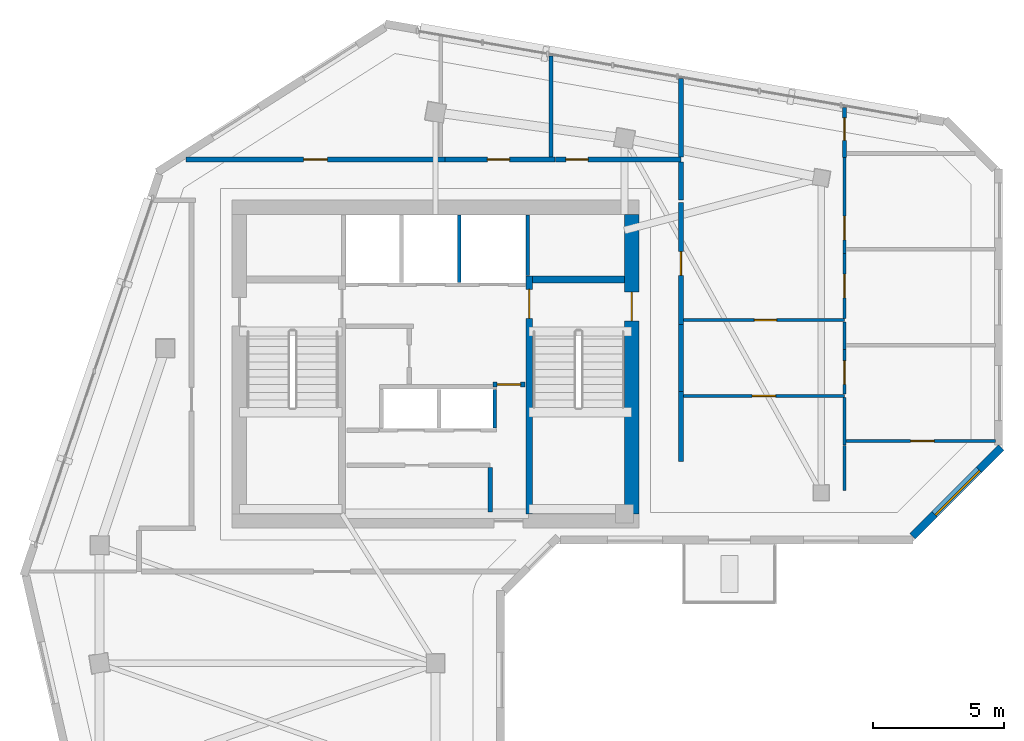
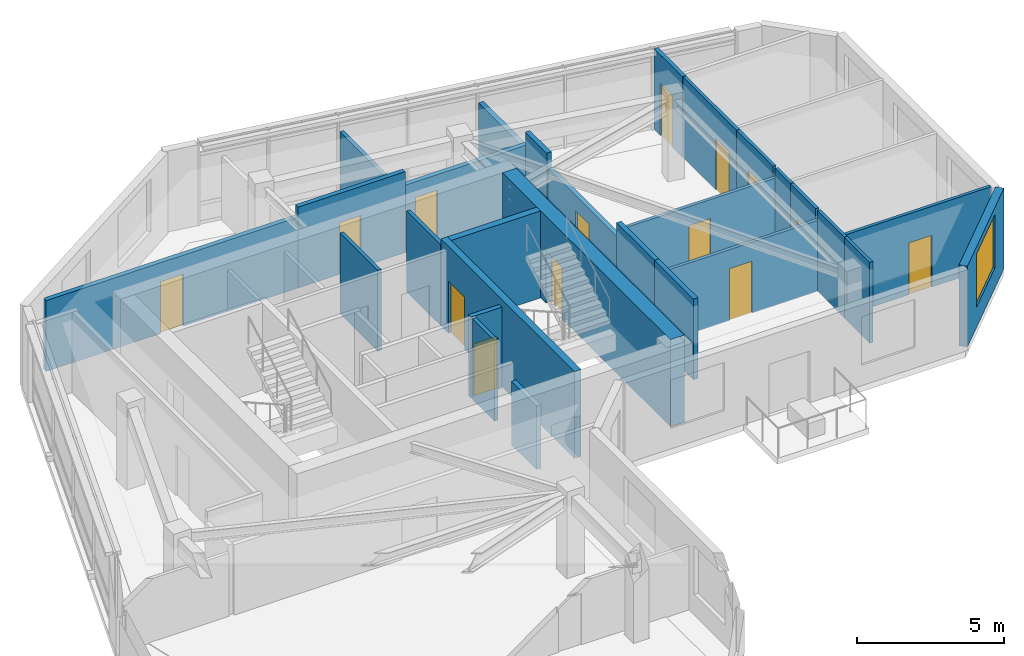
# One storey, part 5 of 9: 28 walls, 14 doors, 1 window, 15 openings.
"""IFC4 building model written with IfcOpenShell, lengths in metres."""

from ifc_helpers import new_model, si_unit, direction, frame, frame_2d, origin, place, context, subcontext, project, spatial, rectangle, extrude, source, transform, mapped, material, layer, layer_set, type_object, element, fill, save


model = new_model("IFC4")

# Units and contexts
model_context = context("Model", 3, precision=1e-05, world=origin(), true_north=direction((0.0, 1.0)))
body_context = subcontext(model_context, "Body", "Model", "MODEL_VIEW")
ifc_project = project(units=[si_unit("LENGTHUNIT", "METRE"), si_unit("AREAUNIT", "SQUARE_METRE"), si_unit("VOLUMEUNIT", "CUBIC_METRE"), si_unit("PLANEANGLEUNIT", "RADIAN"), si_unit("MASSUNIT", "GRAM", prefix="KILO")], contexts=[model_context])

# Site, building, storey
site_placement = place(None, origin())
site = spatial("IfcSite", under=ifc_project, at=site_placement, CompositionType="ELEMENT")
building_placement = place(site_placement, origin())
building = spatial("IfcBuilding", under=site, at=building_placement, Name="Calvemar Wedge Station Tower", CompositionType="ELEMENT")
storey_placement = place(building_placement, frame((0.0, 0.0, 270.89990234375)))
storey = spatial("IfcBuildingStorey", under=building, at=storey_placement, Name="L69", CompositionType="ELEMENT", Elevation=270.89990234375)

# Wall, opening, door
ifc_material_1 = material(Name="Concrete C50", Category="concrete")
ifc_layer_1 = layer(ifc_material_1, 0.260009765625)
ifc_layer_set_1 = layer_set([ifc_layer_1], Name="Concrete C50")
wall_type_1 = type_object("IfcWallType", Name="SW-CORE-260", PredefinedType="SHEAR", material=ifc_layer_set_1)
wall_1_placement = place(storey_placement, frame((27.3701171875, 34.199951171875, 0.0), z_axis=(0.0, 0.0, 1.0), x_axis=(0.0, 1.0, 0.0)))
wall_1 = element("IfcWall", 1, at=wall_1_placement, inside=storey, type_object=wall_type_1, Name="Storey L69 Core Shear Wall SPINE-E", PredefinedType="SHEAR", context=body_context, shape_type="SweptSolid", body=[
    extrude(rectangle(XDim=9.06005859375, YDim=0.260009765625, at=frame_2d((4.530029296875, 0.0))), origin(), (0.0, 0.0, 1.0), 3.60009765625),
])
shared_shape_1 = source(origin(), body_context, "Body", "SweptSolid", [
    extrude(rectangle(XDim=1.10009765625, YDim=2.14990234375, at=frame_2d((0.550048828125, 1.074951171875))), frame((0.0, 0.14013671875, 0.0), z_axis=(0.0, -1.0, 0.0), x_axis=(1.0, 0.0, 0.0)), (0.0, 0.0, 1.0), 0.280029296875),
])
opening_1_placement = place(wall_1_placement, frame((7.449951171875, 0.0, 0.0)))
opening_1 = element("IfcOpeningElement", 2, at=opening_1_placement, cuts=wall_1, Name="Opening FD-90", PredefinedType="OPENING", context=body_context, shape_type="MappedRepresentation", body=[
    mapped(shared_shape_1, transform((0.0, 0.0, 0.0), scale=1.0)),
])
ifc_material_2 = material(Name="Galvanized fire-rated steel door leaf P-90", Category="steel")
door_type_1 = type_object("IfcDoorType", Name="DR-FD90-1100", OperationType="NOTDEFINED", PredefinedType="DOOR", material=ifc_material_2)
shared_shape_2 = source(origin(), body_context, "Body", "SweptSolid", [
    extrude(rectangle(XDim=1.10009765625, YDim=2.14990234375, at=frame_2d((0.550048828125, 1.074951171875))), frame((0.0, 0.02490234375, 0.0), z_axis=(0.0, -1.0, 0.0), x_axis=(1.0, 0.0, 0.0)), (0.0, 0.0, 1.0), 0.050048828125),
])
door_1_placement = place(opening_1_placement, origin())
door_1 = element("IfcDoor", 3, at=door_1_placement, inside=storey, type_object=door_type_1, Name="L69 FF Lobby to Stair ST-C2 Door", OperationType="SINGLE_SWING_RIGHT", OverallHeight=2.14990234375, OverallWidth=1.10009765625, PredefinedType="DOOR", context=body_context, shape_type="MappedRepresentation", body=[
    mapped(shared_shape_2, transform((0.0, 0.0, 0.0), scale=1.0)),
])
fill(opening_1, door_1)

# Wall
wall_2_placement = place(storey_placement, frame((27.5, 43.1298828125, 0.0), z_axis=(0.0, 0.0, 1.0), x_axis=(1.0, 0.0, 0.0)))
element("IfcWall", 4, at=wall_2_placement, inside=storey, type_object=wall_type_1, Name="Storey L69 Core Shear Wall STC2-N", PredefinedType="SHEAR", context=body_context, shape_type="SweptSolid", body=[
    extrude(rectangle(XDim=3.5, YDim=0.260009765625, at=frame_2d((1.75, 0.0))), origin(), (0.0, 0.0, 1.0), 3.60009765625),
])

# Wall, opening, door
ifc_material_3 = material(Name="Concrete C60", Category="concrete")
ifc_layer_2 = layer(ifc_material_3, 0.550048828125)
ifc_layer_set_2 = layer_set([ifc_layer_2], Name="Concrete C60")
wall_type_2 = type_object("IfcWallType", Name="SW-CORE-550", PredefinedType="SHEAR", material=ifc_layer_set_2)
wall_3_placement = place(storey_placement, frame((31.27490234375, 34.199951171875, 0.0), z_axis=(0.0, 0.0, 1.0), x_axis=(0.0, 1.0, 0.0)))
wall_3 = element("IfcWall", 5, at=wall_3_placement, inside=storey, type_object=wall_type_2, Name="Storey L69 Core Shear Wall E", PredefinedType="SHEAR", context=body_context, shape_type="SweptSolid", body=[
    extrude(rectangle(XDim=11.400146484375, YDim=0.550048828125, at=frame_2d((5.7001953125, 0.0))), origin(), (0.0, 0.0, 1.0), 3.60009765625),
])
shared_shape_3 = source(origin(), body_context, "Body", "SweptSolid", [
    extrude(rectangle(XDim=1.10009765625, YDim=2.14990234375, at=frame_2d((0.550048828125, 1.074951171875))), frame((0.0, 0.28515625, 0.0), z_axis=(0.0, -1.0, 0.0), x_axis=(1.0, 0.0, 0.0)), (0.0, 0.0, 1.0), 0.570068359375),
])
opening_2_placement = place(wall_3_placement, frame((7.35009765625, 0.0, 0.0)))
opening_2 = element("IfcOpeningElement", 6, at=opening_2_placement, cuts=wall_3, Name="Opening FD-90", PredefinedType="OPENING", context=body_context, shape_type="MappedRepresentation", body=[
    mapped(shared_shape_3, transform((0.0, 0.0, 0.0), scale=1.0)),
])
door_2_placement = place(opening_2_placement, origin())
door_2 = element("IfcDoor", 7, at=door_2_placement, inside=storey, type_object=door_type_1, Name="L69 East Corridor to Exit Stair ST-C2 Door", OperationType="SINGLE_SWING_RIGHT", OverallHeight=2.14990234375, OverallWidth=1.10009765625, PredefinedType="DOOR", context=body_context, shape_type="MappedRepresentation", body=[
    mapped(shared_shape_2, transform((0.0, 0.0, 0.0), scale=1.0)),
])
fill(opening_2, door_2)

ifc_material_4 = material(Name="Double-stud fire-rated corridor partition")
ifc_layer_3 = layer(ifc_material_4, 0.179931640625)
ifc_layer_set_3 = layer_set([ifc_layer_3], Name="Double-stud fire-rated corridor partition")
wall_type_3 = type_object("IfcWallType", Name="W-CORR-180", PredefinedType="PARTITIONING", material=ifc_layer_set_3)
wall_4_placement = place(storey_placement, frame((27.199951171875, 39.1298828125, 0.0), z_axis=(0.0, 0.0, 1.0), x_axis=(-1.0, 0.0, 0.0)))
wall_4 = element("IfcWall", 8, at=wall_4_placement, inside=storey, type_object=wall_type_3, Name="Storey L69 Interior Partition WL-L69-004", PredefinedType="PARTITIONING", context=body_context, shape_type="SweptSolid", body=[
    extrude(rectangle(XDim=1.2099609375, YDim=0.179931640625, at=frame_2d((0.60498046875, 0.0))), origin(), (0.0, 0.0, 1.0), 3.35009765625),
])
shared_shape_4 = source(origin(), body_context, "Body", "SweptSolid", [
    extrude(rectangle(XDim=0.89990234375, YDim=2.14990234375, at=frame_2d((0.449951171875, 1.074951171875))), frame((0.0, 0.10009765625, 0.0), z_axis=(0.0, -1.0, 0.0), x_axis=(1.0, 0.0, 0.0)), (0.0, 0.0, 1.0), 0.199951171875),
])
opening_3_placement = place(wall_4_placement, frame((0.155029296875, 0.0, 0.0)))
opening_3 = element("IfcOpeningElement", 9, at=opening_3_placement, cuts=wall_4, Name="Opening FD-60", PredefinedType="OPENING", context=body_context, shape_type="MappedRepresentation", body=[
    mapped(shared_shape_4, transform((0.0, 0.0, 0.0), scale=1.0)),
])
ifc_material_5 = material(Name="Fire-rated acoustic timber-core entrance door EI 60", Category="wood")
door_type_2 = type_object("IfcDoorType", Name="DR-FD60-900", OperationType="NOTDEFINED", PredefinedType="DOOR", material=ifc_material_5)
shared_shape_5 = source(origin(), body_context, "Body", "SweptSolid", [
    extrude(rectangle(XDim=0.89990234375, YDim=2.14990234375, at=frame_2d((0.449951171875, 1.074951171875))), frame((0.0, 0.02490234375, 0.0), z_axis=(0.0, -1.0, 0.0), x_axis=(1.0, 0.0, 0.0)), (0.0, 0.0, 1.0), 0.050048828125),
])
door_3_placement = place(opening_3_placement, origin())
door_3 = element("IfcDoor", 10, at=door_3_placement, inside=storey, type_object=door_type_2, Name="L69 Core Service Lobby Door", OperationType="SINGLE_SWING_LEFT", OverallHeight=2.14990234375, OverallWidth=0.89990234375, PredefinedType="DOOR", context=body_context, shape_type="MappedRepresentation", body=[
    mapped(shared_shape_5, transform((0.0, 0.0, 0.0), scale=1.0)),
])
fill(opening_3, door_3)

# Wall
wall_5_placement = place(storey_placement, frame((25.8798828125, 35.9560546875, 0.0), z_axis=(0.0, 0.0, 1.0), x_axis=(0.0, -1.0, 0.0)))
element("IfcWall", 11, at=wall_5_placement, inside=storey, type_object=wall_type_3, Name="Storey L69 Interior Partition WL-L69-006", PredefinedType="PARTITIONING", context=body_context, shape_type="SweptSolid", body=[
    extrude(rectangle(XDim=1.68603515625, YDim=0.179931640625, at=frame_2d((0.843017578125, 0.0))), origin(), (0.0, 0.0, 1.0), 2.64208984375),
])

# Wall, opening, door
wall_6_placement = place(storey_placement, frame((14.29541015625, 47.699951171875, 0.0), z_axis=(0.0, 0.0, 1.0), x_axis=(1.0, 0.0, 0.0)))
wall_6 = element("IfcWall", 12, at=wall_6_placement, inside=storey, type_object=wall_type_3, Name="Storey L69 Interior Partition WL-L69-012", PredefinedType="PARTITIONING", context=body_context, shape_type="SweptSolid", body=[
    extrude(rectangle(XDim=9.864501953125, YDim=0.179931640625, at=frame_2d((4.93212890625, 0.0))), origin(), (0.0, 0.0, 1.0), 2.93505859375),
])
opening_4_placement = place(wall_6_placement, frame((4.482421875, 0.0, 0.0)))
opening_4 = element("IfcOpeningElement", 13, at=opening_4_placement, cuts=wall_6, Name="Opening D-01", PredefinedType="OPENING", context=body_context, shape_type="MappedRepresentation", body=[
    mapped(shared_shape_4, transform((0.0, 0.0, 0.0), scale=1.0)),
])
ifc_material_6 = material(Name="Architectural hardwood acoustic swing door", Category="wood")
door_type_3 = type_object("IfcDoorType", Name="DR-INT-900", OperationType="NOTDEFINED", PredefinedType="DOOR", material=ifc_material_6)
shared_shape_6 = source(origin(), body_context, "Body", "SweptSolid", [
    extrude(rectangle(XDim=0.89990234375, YDim=2.14990234375, at=frame_2d((0.449951171875, 1.074951171875))), frame((0.0, 0.02490234375, 0.0), z_axis=(0.0, -1.0, 0.0), x_axis=(1.0, 0.0, 0.0)), (0.0, 0.0, 1.0), 0.050048828125),
])
door_4_placement = place(opening_4_placement, origin())
door_4 = element("IfcDoor", 14, at=door_4_placement, inside=storey, type_object=door_type_3, Name="L69 Fitness Studio Door", OperationType="SINGLE_SWING_RIGHT", OverallHeight=2.14990234375, OverallWidth=0.89990234375, PredefinedType="DOOR", context=body_context, shape_type="MappedRepresentation", body=[
    mapped(shared_shape_6, transform((0.0, 0.0, 0.0), scale=1.0)),
])
fill(opening_4, door_4)

wall_7_placement = place(storey_placement, frame((24.162109375, 47.699951171875, 0.0), z_axis=(0.0, 0.0, 1.0), x_axis=(1.0, 0.0, 0.0)))
wall_7 = element("IfcWall", 15, at=wall_7_placement, inside=storey, type_object=wall_type_3, Name="Storey L69 Interior Partition WL-L69-013", PredefinedType="PARTITIONING", context=body_context, shape_type="SweptSolid", body=[
    extrude(rectangle(XDim=4.197998046875, YDim=0.179931640625, at=frame_2d((2.09912109375, 0.0))), origin(), (0.0, 0.0, 1.0), 3.35009765625),
])
shared_shape_7 = source(origin(), body_context, "Body", "SweptSolid", [
    extrude(rectangle(XDim=0.85009765625, YDim=2.14990234375, at=frame_2d((0.425048828125, 1.074951171875))), frame((0.0, 0.10009765625, 0.0), z_axis=(0.0, -1.0, 0.0), x_axis=(1.0, 0.0, 0.0)), (0.0, 0.0, 1.0), 0.199951171875),
])
opening_5_placement = place(wall_7_placement, frame((1.61328125, 0.0, 0.0)))
opening_5 = element("IfcOpeningElement", 16, at=opening_5_placement, cuts=wall_7, Name="Opening D-02", PredefinedType="OPENING", context=body_context, shape_type="MappedRepresentation", body=[
    mapped(shared_shape_7, transform((0.0, 0.0, 0.0), scale=1.0)),
])
ifc_material_7 = material(Name="Moisture-sealed bathroom hardwood swing door", Category="wood")
door_type_4 = type_object("IfcDoorType", Name="DR-WET-850", OperationType="NOTDEFINED", PredefinedType="DOOR", material=ifc_material_7)
shared_shape_8 = source(origin(), body_context, "Body", "SweptSolid", [
    extrude(rectangle(XDim=0.85009765625, YDim=2.14990234375, at=frame_2d((0.425048828125, 1.074951171875))), frame((0.0, 0.02490234375, 0.0), z_axis=(0.0, -1.0, 0.0), x_axis=(1.0, 0.0, 0.0)), (0.0, 0.0, 1.0), 0.050048828125),
])
door_5_placement = place(opening_5_placement, origin())
door_5 = element("IfcDoor", 17, at=door_5_placement, inside=storey, type_object=door_type_4, Name="L69 Accessible WC Door", OperationType="SINGLE_SWING_LEFT", OverallHeight=2.14990234375, OverallWidth=0.85009765625, PredefinedType="DOOR", context=body_context, shape_type="MappedRepresentation", body=[
    mapped(shared_shape_8, transform((0.0, 0.0, 0.0), scale=1.0)),
])
fill(opening_5, door_5)

wall_8_placement = place(storey_placement, frame((28.362060546875, 47.699951171875, 0.0), z_axis=(0.0, 0.0, 1.0), x_axis=(1.0, 0.0, 0.0)))
wall_8 = element("IfcWall", 18, at=wall_8_placement, inside=storey, type_object=wall_type_3, Name="Storey L69 Interior Partition WL-L69-014", PredefinedType="PARTITIONING", context=body_context, shape_type="SweptSolid", body=[
    extrude(rectangle(XDim=4.787841796875, YDim=0.179931640625, at=frame_2d((2.39404296875, 0.0))), origin(), (0.0, 0.0, 1.0), 2.7880859375),
])
opening_6_placement = place(wall_8_placement, frame((0.400634765625, 0.0, 0.0)))
opening_6 = element("IfcOpeningElement", 19, at=opening_6_placement, cuts=wall_8, Name="Opening D-02", PredefinedType="OPENING", context=body_context, shape_type="MappedRepresentation", body=[
    mapped(shared_shape_7, transform((0.0, 0.0, 0.0), scale=1.0)),
])
door_6_placement = place(opening_6_placement, origin())
door_6 = element("IfcDoor", 20, at=door_6_placement, inside=storey, type_object=door_type_4, Name="L69 Storage Room Door", OperationType="SINGLE_SWING_RIGHT", OverallHeight=2.14990234375, OverallWidth=0.85009765625, PredefinedType="DOOR", context=body_context, shape_type="MappedRepresentation", body=[
    mapped(shared_shape_8, transform((0.0, 0.0, 0.0), scale=1.0)),
])
fill(opening_6, door_6)

# Walls
wall_9_placement = place(storey_placement, frame((33.14990234375, 47.60595703125, 0.0), z_axis=(0.0, 0.0, 1.0), x_axis=(0.0, -1.0, 0.0)))
element("IfcWall", 21, at=wall_9_placement, inside=storey, type_object=wall_type_3, Name="Storey L69 Interior Partition WL-L69-015", PredefinedType="PARTITIONING", context=body_context, shape_type="SweptSolid", body=[
    extrude(rectangle(XDim=1.4560546875, YDim=0.179931640625, at=frame_2d((0.72802734375, 0.0))), origin(), (0.0, 0.0, 1.0), 3.35009765625),
])
wall_10_placement = place(storey_placement, frame((33.14990234375, 38.85205078125, 0.0), z_axis=(0.0, 0.0, 1.0), x_axis=(0.0, -1.0, 0.0)))
element("IfcWall", 22, at=wall_10_placement, inside=storey, type_object=wall_type_3, Name="Storey L69 Interior Partition WL-L69-016", PredefinedType="PARTITIONING", context=body_context, shape_type="SweptSolid", body=[
    extrude(rectangle(XDim=2.652099609375, YDim=0.179931640625, at=frame_2d((1.326171875, 0.0))), origin(), (0.0, 0.0, 1.0), 3.35009765625),
])

# Wall, opening, door
wall_11_placement = place(storey_placement, frame((33.14990234375, 46.055908203125, 0.0), z_axis=(0.0, 0.0, 1.0), x_axis=(0.0, -1.0, 0.0)))
wall_11 = element("IfcWall", 23, at=wall_11_placement, inside=storey, type_object=wall_type_3, Name="Storey L69 Interior Partition WL-L69-017", PredefinedType="PARTITIONING", context=body_context, shape_type="SweptSolid", body=[
    extrude(rectangle(XDim=4.635986328125, YDim=0.179931640625, at=frame_2d((2.31787109375, 0.0))), origin(), (0.0, 0.0, 1.0), 2.7880859375),
])
opening_7_placement = place(wall_11_placement, frame((1.867919921875, 0.0, 0.0)))
opening_7 = element("IfcOpeningElement", 24, at=opening_7_placement, cuts=wall_11, Name="Opening FD-60", PredefinedType="OPENING", context=body_context, shape_type="MappedRepresentation", body=[
    mapped(shared_shape_4, transform((0.0, 0.0, 0.0), scale=1.0)),
])
door_7_placement = place(opening_7_placement, origin())
door_7 = element("IfcDoor", 25, at=door_7_placement, inside=storey, type_object=door_type_2, Name="L69 Living Dining Door", OperationType="SINGLE_SWING_RIGHT", OverallHeight=2.14990234375, OverallWidth=0.89990234375, PredefinedType="DOOR", context=body_context, shape_type="MappedRepresentation", body=[
    mapped(shared_shape_5, transform((0.0, 0.0, 0.0), scale=1.0)),
])
fill(opening_7, door_7)

# Walls
wall_12_placement = place(storey_placement, frame((33.14990234375, 41.41796875, 0.0), z_axis=(0.0, 0.0, 1.0), x_axis=(0.0, -1.0, 0.0)))
element("IfcWall", 26, at=wall_12_placement, inside=storey, type_object=wall_type_3, Name="Storey L69 Interior Partition WL-L69-018", PredefinedType="PARTITIONING", context=body_context, shape_type="SweptSolid", body=[
    extrude(rectangle(XDim=2.56396484375, YDim=0.179931640625, at=frame_2d((1.281982421875, 0.0))), origin(), (0.0, 0.0, 1.0), 3.35009765625),
])
ifc_material_8 = material(Name="Twin-stud fire-rated inter-tenancy wall")
ifc_layer_4 = layer(ifc_material_8, 0.199951171875)
ifc_layer_set_4 = layer_set([ifc_layer_4], Name="Twin-stud fire-rated inter-tenancy wall")
wall_type_4 = type_object("IfcWallType", Name="W-DEMISE-200", PredefinedType="PARTITIONING", material=ifc_layer_set_4)
wall_13_placement = place(storey_placement, frame((33.14990234375, 50.7802734375, 0.0), z_axis=(0.0, 0.0, 1.0), x_axis=(0.0, -1.0, 0.0)))
element("IfcWall", 27, at=wall_13_placement, inside=storey, type_object=wall_type_4, Name="Storey L69 Interior Partition WL-L69-022", PredefinedType="PARTITIONING", context=body_context, shape_type="SweptSolid", body=[
    extrude(rectangle(XDim=2.986328125, YDim=0.199951171875, at=frame_2d((1.4931640625, 0.0))), origin(), (0.0, 0.0, 1.0), 2.64208984375),
])

# Wall, opening, window
ifc_material_9 = material(Name="Precast concrete C45", Category="concrete")
ifc_layer_5 = layer(ifc_material_9, 0.300048828125)
ifc_layer_set_5 = layer_set([ifc_layer_5], Name="Precast concrete C45")
wall_type_5 = type_object("IfcWallType", Name="W-EXT-GFRC-300", PredefinedType="SOLIDWALL", material=ifc_layer_set_5)
wall_14_placement = place(storey_placement, frame((41.975830078125, 33.343994140625, 0.0), z_axis=(0.0, 0.0, 1.0), x_axis=(0.707132316343, 0.707081245108, 0.0)))
wall_14 = element("IfcWall", 28, at=wall_14_placement, inside=storey, type_object=wall_type_5, Name="Storey L69 Bronze GFRC Exterior Wall 7", PredefinedType="SOLIDWALL", context=body_context, shape_type="SweptSolid", body=[
    extrude(rectangle(XDim=4.7802734375, YDim=0.300048828125, at=frame_2d((2.39013671875, 0.0))), origin(), (0.0, 0.0, 1.0), 3.35009765625),
])
shared_shape_9 = source(origin(), body_context, "Body", "SweptSolid", [
    extrude(rectangle(XDim=2.39990234375, YDim=2.199951171875, at=frame_2d((1.199951171875, 1.10009765625))), frame((0.0, 0.16015625, 0.0), z_axis=(0.0, -1.0, 0.0), x_axis=(1.0, 0.0, 0.0)), (0.0, 0.0, 1.0), 0.320068359375),
])
opening_8_placement = place(wall_14_placement, frame((1.18994140625, 0.0, 0.85009765625)))
opening_8 = element("IfcOpeningElement", 29, at=opening_8_placement, cuts=wall_14, Name="Opening W1", PredefinedType="OPENING", context=body_context, shape_type="MappedRepresentation", body=[
    mapped(shared_shape_9, transform((0.0, 0.0, 0.0), scale=1.0)),
])
ifc_material_10 = material(Name="Low-E laminated insulated glass", Category="glass")
window_type = type_object("IfcWindowType", Name="WIN-EXT-1", PartitioningType="SINGLE_PANEL", PredefinedType="WINDOW", material=ifc_material_10)
shared_shape_10 = source(origin(), body_context, "Body", "SweptSolid", [
    extrude(rectangle(XDim=2.39990234375, YDim=2.199951171875, at=frame_2d((1.199951171875, 1.10009765625))), frame((0.0, -0.014892578125, 0.0), z_axis=(0.0, -1.0, 0.0), x_axis=(1.0, 0.0, 0.0)), (0.0, 0.0, 1.0), 0.06005859375),
])
window_placement = place(opening_8_placement, origin())
window = element("IfcWindow", 30, at=window_placement, inside=storey, type_object=window_type, Name="Storey L69 Recessed Window 7.1", OverallHeight=2.199951171875, OverallWidth=2.39990234375, PartitioningType="SINGLE_PANEL", PredefinedType="WINDOW", context=body_context, shape_type="MappedRepresentation", body=[
    mapped(shared_shape_10, transform((0.0, 0.0, 0.0), scale=1.0)),
])
fill(opening_8, window)

# Walls
ifc_material_11 = material(Name="Reinforced concrete blockwork lift shaft wall", Category="masonry")
ifc_layer_6 = layer(ifc_material_11, 0.139892578125)
ifc_layer_set_6 = layer_set([ifc_layer_6], Name="Reinforced concrete blockwork lift shaft wall")
wall_type_6 = type_object("IfcWallType", Name="W-LIFT-160", PredefinedType="SOLIDWALL", material=ifc_layer_set_6)
wall_15_placement = place(storey_placement, frame((27.31005859375, 43.280029296875, 0.0), z_axis=(0.0, 0.0, 1.0), x_axis=(0.0, 1.0, 0.0)))
element("IfcWall", 31, at=wall_15_placement, inside=storey, type_object=wall_type_6, Name="Storey L69 Firefighting Lift Shaft Enclosure Wall E", PredefinedType="SOLIDWALL", context=body_context, shape_type="SweptSolid", body=[
    extrude(rectangle(XDim=2.300048828125, YDim=0.139892578125, at=frame_2d((1.14990234375, 0.0))), origin(), (0.0, 0.0, 1.0), 3.35009765625),
])
wall_16_placement = place(storey_placement, frame((24.699951171875, 43.02001953125, 0.0), z_axis=(0.0, 0.0, 1.0), x_axis=(0.0, 1.0, 0.0)))
element("IfcWall", 32, at=wall_16_placement, inside=storey, type_object=wall_type_6, Name="Storey L69 Firefighting Lift Shaft Enclosure Wall D2", PredefinedType="SOLIDWALL", context=body_context, shape_type="SweptSolid", body=[
    extrude(rectangle(XDim=2.56005859375, YDim=0.139892578125, at=frame_2d((1.280029296875, 0.0))), origin(), (0.0, 0.0, 1.0), 3.35009765625),
])
wall_17_placement = place(storey_placement, frame((26.06005859375, 37.4599609375, 0.0), z_axis=(0.0, 0.0, 1.0), x_axis=(0.0, 1.0, 0.0)))
element("IfcWall", 33, at=wall_17_placement, inside=storey, type_object=wall_type_6, Name="Storey L69 Upper Passenger Lift Shaft Wall E", PredefinedType="SOLIDWALL", context=body_context, shape_type="SweptSolid", body=[
    extrude(rectangle(XDim=1.47998046875, YDim=0.139892578125, at=frame_2d((0.739990234375, 0.0))), origin(), (0.0, 0.0, 1.0), 3.35009765625),
])

# Wall, opening, door
ifc_material_12 = material(Name="Insulated acoustic gypsum stud partition")
ifc_layer_7 = layer(ifc_material_12, 0.125)
ifc_layer_set_7 = layer_set([ifc_layer_7], Name="Insulated acoustic gypsum stud partition")
wall_type_7 = type_object("IfcWallType", Name="W-PART-125", PredefinedType="PARTITIONING", material=ifc_layer_set_7)
wall_18_placement = place(storey_placement, frame((33.243896484375, 38.69189453125, 0.0), z_axis=(0.0, 0.0, 1.0), x_axis=(1.0, 0.0, 0.0)))
wall_18 = element("IfcWall", 34, at=wall_18_placement, inside=storey, type_object=wall_type_7, Name="Storey L69 Interior Partition WL-L69-023", PredefinedType="PARTITIONING", context=body_context, shape_type="SweptSolid", body=[
    extrude(rectangle(XDim=6.13818359375, YDim=0.125, at=frame_2d((3.069091796875, 0.0))), origin(), (0.0, 0.0, 1.0), 2.93505859375),
])
shared_shape_11 = source(origin(), body_context, "Body", "SweptSolid", [
    extrude(rectangle(XDim=0.89990234375, YDim=2.14990234375, at=frame_2d((0.449951171875, 1.074951171875))), frame((0.0, 0.072509765625, 0.0), z_axis=(0.0, -1.0, 0.0), x_axis=(1.0, 0.0, 0.0)), (0.0, 0.0, 1.0), 0.14501953125),
])
opening_9_placement = place(wall_18_placement, frame((2.618896484375, 0.0, 0.0)))
opening_9 = element("IfcOpeningElement", 35, at=opening_9_placement, cuts=wall_18, Name="Opening D-01", PredefinedType="OPENING", context=body_context, shape_type="MappedRepresentation", body=[
    mapped(shared_shape_11, transform((0.0, 0.0, 0.0), scale=1.0)),
])
door_8_placement = place(opening_9_placement, origin())
door_8 = element("IfcDoor", 36, at=door_8_placement, inside=storey, type_object=door_type_3, Name="L69 Study Door", OperationType="SINGLE_SWING_LEFT", OverallHeight=2.14990234375, OverallWidth=0.89990234375, PredefinedType="DOOR", context=body_context, shape_type="MappedRepresentation", body=[
    mapped(shared_shape_6, transform((0.0, 0.0, 0.0), scale=1.0)),
])
fill(opening_9, door_8)

# Walls
wall_19_placement = place(storey_placement, frame((39.382080078125, 38.62548828125, 0.0), z_axis=(0.0, 0.0, 1.0), x_axis=(0.0, -1.0, 0.0)))
element("IfcWall", 37, at=wall_19_placement, inside=storey, type_object=wall_type_7, Name="Storey L69 Interior Partition WL-L69-024", PredefinedType="PARTITIONING", context=body_context, shape_type="SweptSolid", body=[
    extrude(rectangle(XDim=1.8125, YDim=0.125, at=frame_2d((0.90625, 0.0))), origin(), (0.0, 0.0, 1.0), 3.35009765625),
])
wall_20_placement = place(storey_placement, frame((39.382080078125, 36.81103515625, 0.0), z_axis=(0.0, 0.0, 1.0), x_axis=(0.0, -1.0, 0.0)))
element("IfcWall", 38, at=wall_20_placement, inside=storey, type_object=wall_type_7, Name="Storey L69 Interior Partition WL-L69-025", PredefinedType="PARTITIONING", context=body_context, shape_type="SweptSolid", body=[
    extrude(rectangle(XDim=1.718994140625, YDim=0.125, at=frame_2d((0.859375, 0.0))), origin(), (0.0, 0.0, 1.0), 3.35009765625),
])

# Wall, opening, door
wall_21_placement = place(storey_placement, frame((39.382080078125, 41.580078125, 0.0), z_axis=(0.0, 0.0, 1.0), x_axis=(-1.0, 0.0, 0.0)))
wall_21 = element("IfcWall", 39, at=wall_21_placement, inside=storey, type_object=wall_type_7, Name="Storey L69 Interior Partition WL-L69-026", PredefinedType="PARTITIONING", context=body_context, shape_type="SweptSolid", body=[
    extrude(rectangle(XDim=6.13818359375, YDim=0.125, at=frame_2d((3.069091796875, 0.0))), origin(), (0.0, 0.0, 1.0), 2.93505859375),
])
shared_shape_12 = source(origin(), body_context, "Body", "SweptSolid", [
    extrude(rectangle(XDim=0.85009765625, YDim=2.14990234375, at=frame_2d((0.425048828125, 1.074951171875))), frame((0.0, 0.072509765625, 0.0), z_axis=(0.0, -1.0, 0.0), x_axis=(1.0, 0.0, 0.0)), (0.0, 0.0, 1.0), 0.14501953125),
])
opening_10_placement = place(wall_21_placement, frame((2.58349609375, 0.0, 0.0)))
opening_10 = element("IfcOpeningElement", 40, at=opening_10_placement, cuts=wall_21, Name="Opening D-02", PredefinedType="OPENING", context=body_context, shape_type="MappedRepresentation", body=[
    mapped(shared_shape_12, transform((0.0, 0.0, 0.0), scale=1.0)),
])
door_9_placement = place(opening_10_placement, origin())
door_9 = element("IfcDoor", 41, at=door_9_placement, inside=storey, type_object=door_type_4, Name="L69 Kitchen Door", OperationType="SINGLE_SWING_LEFT", OverallHeight=2.14990234375, OverallWidth=0.85009765625, PredefinedType="DOOR", context=body_context, shape_type="MappedRepresentation", body=[
    mapped(shared_shape_8, transform((0.0, 0.0, 0.0), scale=1.0)),
])
fill(opening_10, door_9)

wall_22_placement = place(storey_placement, frame((39.382080078125, 47.76806640625, 0.0), z_axis=(0.0, 0.0, 1.0), x_axis=(0.0, -1.0, 0.0)))
wall_22 = element("IfcWall", 42, at=wall_22_placement, inside=storey, type_object=wall_type_7, Name="Storey L69 Interior Partition WL-L69-028", PredefinedType="PARTITIONING", context=body_context, shape_type="SweptSolid", body=[
    extrude(rectangle(XDim=3.650146484375, YDim=0.125, at=frame_2d((1.8251953125, 0.0))), origin(), (0.0, 0.0, 1.0), 3.35009765625),
])
opening_11_placement = place(wall_22_placement, frame((2.226806640625, 0.0, 0.0)))
opening_11 = element("IfcOpeningElement", 43, at=opening_11_placement, cuts=wall_22, Name="Opening D-01", PredefinedType="OPENING", context=body_context, shape_type="MappedRepresentation", body=[
    mapped(shared_shape_11, transform((0.0, 0.0, 0.0), scale=1.0)),
])
door_10_placement = place(opening_11_placement, origin())
door_10 = element("IfcDoor", 44, at=door_10_placement, inside=storey, type_object=door_type_3, Name="L69 Master Bedroom Door", OperationType="SINGLE_SWING_LEFT", OverallHeight=2.14990234375, OverallWidth=0.89990234375, PredefinedType="DOOR", context=body_context, shape_type="MappedRepresentation", body=[
    mapped(shared_shape_6, transform((0.0, 0.0, 0.0), scale=1.0)),
])
fill(opening_11, door_10)

wall_23_placement = place(storey_placement, frame((39.382080078125, 44.115966796875, 0.0), z_axis=(0.0, 0.0, 1.0), x_axis=(0.0, -1.0, 0.0)))
wall_23 = element("IfcWall", 45, at=wall_23_placement, inside=storey, type_object=wall_type_7, Name="Storey L69 Interior Partition WL-L69-029", PredefinedType="PARTITIONING", context=body_context, shape_type="SweptSolid", body=[
    extrude(rectangle(XDim=2.469482421875, YDim=0.125, at=frame_2d((1.23486328125, 0.0))), origin(), (0.0, 0.0, 1.0), 3.35009765625),
])
opening_12_placement = place(wall_23_placement, frame((0.78466796875, 0.0, 0.0)))
opening_12 = element("IfcOpeningElement", 46, at=opening_12_placement, cuts=wall_23, Name="Opening D-01", PredefinedType="OPENING", context=body_context, shape_type="MappedRepresentation", body=[
    mapped(shared_shape_11, transform((0.0, 0.0, 0.0), scale=1.0)),
])
door_11_placement = place(opening_12_placement, origin())
door_11 = element("IfcDoor", 47, at=door_11_placement, inside=storey, type_object=door_type_3, Name="L69 Bedroom Door", OperationType="SINGLE_SWING_RIGHT", OverallHeight=2.14990234375, OverallWidth=0.89990234375, PredefinedType="DOOR", context=body_context, shape_type="MappedRepresentation", body=[
    mapped(shared_shape_6, transform((0.0, 0.0, 0.0), scale=1.0)),
])
fill(opening_12, door_11)

# Wall
wall_24_placement = place(storey_placement, frame((39.382080078125, 41.513427734375, 0.0), z_axis=(0.0, 0.0, 1.0), x_axis=(0.0, -1.0, 0.0)))
element("IfcWall", 48, at=wall_24_placement, inside=storey, type_object=wall_type_7, Name="Storey L69 Interior Partition WL-L69-030", PredefinedType="PARTITIONING", context=body_context, shape_type="SweptSolid", body=[
    extrude(rectangle(XDim=1.04736328125, YDim=0.125, at=frame_2d((0.523681640625, 0.0))), origin(), (0.0, 0.0, 1.0), 3.35009765625),
])

# Wall, opening, door
wall_25_placement = place(storey_placement, frame((39.382080078125, 40.464111328125, 0.0), z_axis=(0.0, 0.0, 1.0), x_axis=(0.0, -1.0, 0.0)))
wall_25 = element("IfcWall", 49, at=wall_25_placement, inside=storey, type_object=wall_type_7, Name="Storey L69 Interior Partition WL-L69-031", PredefinedType="PARTITIONING", context=body_context, shape_type="SweptSolid", body=[
    extrude(rectangle(XDim=1.70556640625, YDim=0.125, at=frame_2d((0.852783203125, 0.0))), origin(), (0.0, 0.0, 1.0), 3.35009765625),
])
opening_13_placement = place(wall_25_placement, frame((0.433349609375, 0.0, 0.0)))
opening_13 = element("IfcOpeningElement", 50, at=opening_13_placement, cuts=wall_25, Name="Opening D-01", PredefinedType="OPENING", context=body_context, shape_type="MappedRepresentation", body=[
    mapped(shared_shape_11, transform((0.0, 0.0, 0.0), scale=1.0)),
])
door_12_placement = place(opening_13_placement, origin())
door_12 = element("IfcDoor", 51, at=door_12_placement, inside=storey, type_object=door_type_3, Name="L69 Bedroom Door", OperationType="SINGLE_SWING_LEFT", OverallHeight=2.14990234375, OverallWidth=0.89990234375, PredefinedType="DOOR", context=body_context, shape_type="MappedRepresentation", body=[
    mapped(shared_shape_6, transform((0.0, 0.0, 0.0), scale=1.0)),
])
fill(opening_13, door_12)

wall_26_placement = place(storey_placement, frame((45.135009765625, 36.972900390625, 0.0), z_axis=(0.0, 0.0, 1.0), x_axis=(-1.0, 0.0, 0.0)))
wall_26 = element("IfcWall", 52, at=wall_26_placement, inside=storey, type_object=wall_type_7, Name="Storey L69 Interior Partition WL-L69-035", PredefinedType="PARTITIONING", context=body_context, shape_type="SweptSolid", body=[
    extrude(rectangle(XDim=5.6865234375, YDim=0.125, at=frame_2d((2.84326171875, 0.0))), origin(), (0.0, 0.0, 1.0), 3.35009765625),
])
opening_14_placement = place(wall_26_placement, frame((2.3330078125, 0.0, 0.0)))
opening_14 = element("IfcOpeningElement", 53, at=opening_14_placement, cuts=wall_26, Name="Opening D-01", PredefinedType="OPENING", context=body_context, shape_type="MappedRepresentation", body=[
    mapped(shared_shape_11, transform((0.0, 0.0, 0.0), scale=1.0)),
])
door_13_placement = place(opening_14_placement, origin())
door_13 = element("IfcDoor", 54, at=door_13_placement, inside=storey, type_object=door_type_3, Name="L69 Study Door", OperationType="SINGLE_SWING_RIGHT", OverallHeight=2.14990234375, OverallWidth=0.89990234375, PredefinedType="DOOR", context=body_context, shape_type="MappedRepresentation", body=[
    mapped(shared_shape_6, transform((0.0, 0.0, 0.0), scale=1.0)),
])
fill(opening_14, door_13)

# Wall
ifc_material_13 = material(Name="Moisture-resistant acoustic bathroom partition")
ifc_layer_8 = layer(ifc_material_13, 0.14990234375)
ifc_layer_set_8 = layer_set([ifc_layer_8], Name="Moisture-resistant acoustic bathroom partition")
wall_type_8 = type_object("IfcWallType", Name="W-WET-150", PredefinedType="PARTITIONING", material=ifc_layer_set_8)
wall_27_placement = place(storey_placement, frame((28.199951171875, 51.646240234375, 0.0), z_axis=(0.0, 0.0, 1.0), x_axis=(0.0, -1.0, 0.0)))
element("IfcWall", 55, at=wall_27_placement, inside=storey, type_object=wall_type_8, Name="Storey L69 Interior Partition WL-L69-021", PredefinedType="PARTITIONING", context=body_context, shape_type="SweptSolid", body=[
    extrude(rectangle(XDim=3.852294921875, YDim=0.14990234375, at=frame_2d((1.92626953125, 0.0))), origin(), (0.0, 0.0, 1.0), 2.64208984375),
])

# Wall, opening, door
wall_28_placement = place(storey_placement, frame((39.382080078125, 49.68994140625, 0.0), z_axis=(0.0, 0.0, 1.0), x_axis=(0.0, -1.0, 0.0)))
wall_28 = element("IfcWall", 56, at=wall_28_placement, inside=storey, type_object=wall_type_8, Name="Storey L69 Interior Partition WL-L69-027", PredefinedType="PARTITIONING", context=body_context, shape_type="SweptSolid", body=[
    extrude(rectangle(XDim=1.919921875, YDim=0.14990234375, at=frame_2d((0.9599609375, 0.0))), origin(), (0.0, 0.0, 1.0), 3.35009765625),
])
shared_shape_13 = source(origin(), body_context, "Body", "SweptSolid", [
    extrude(rectangle(XDim=0.85009765625, YDim=2.14990234375, at=frame_2d((0.425048828125, 1.074951171875))), frame((0.0, 0.0849609375, 0.0), z_axis=(0.0, -1.0, 0.0), x_axis=(1.0, 0.0, 0.0)), (0.0, 0.0, 1.0), 0.169921875),
])
opening_15_placement = place(wall_28_placement, frame((0.407470703125, 0.0, 0.0)))
opening_15 = element("IfcOpeningElement", 57, at=opening_15_placement, cuts=wall_28, Name="Opening D-02", PredefinedType="OPENING", context=body_context, shape_type="MappedRepresentation", body=[
    mapped(shared_shape_13, transform((0.0, 0.0, 0.0), scale=1.0)),
])
door_14_placement = place(opening_15_placement, origin())
door_14 = element("IfcDoor", 58, at=door_14_placement, inside=storey, type_object=door_type_4, Name="L69 Bathroom Door", OperationType="SINGLE_SWING_RIGHT", OverallHeight=2.14990234375, OverallWidth=0.85009765625, PredefinedType="DOOR", context=body_context, shape_type="MappedRepresentation", body=[
    mapped(shared_shape_8, transform((0.0, 0.0, 0.0), scale=1.0)),
])
fill(opening_15, door_14)

save(model, "model.ifc")
